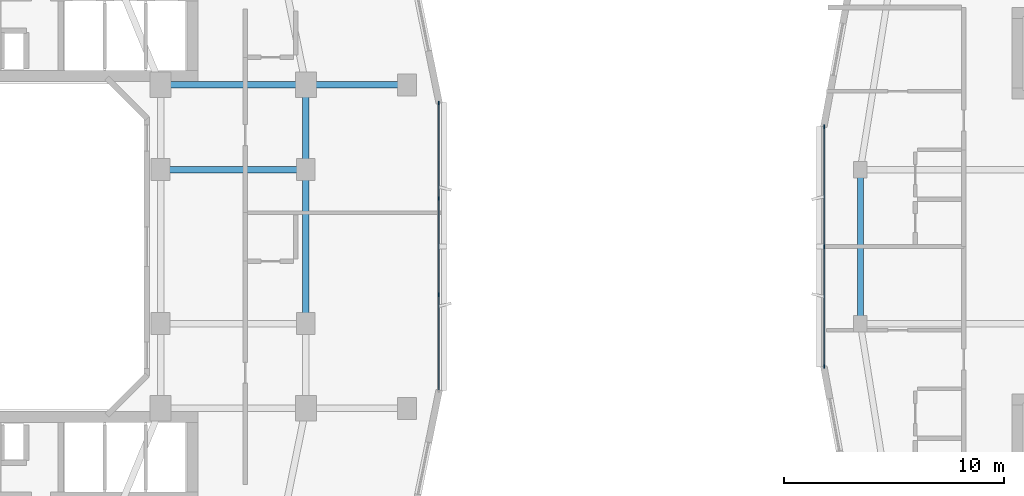
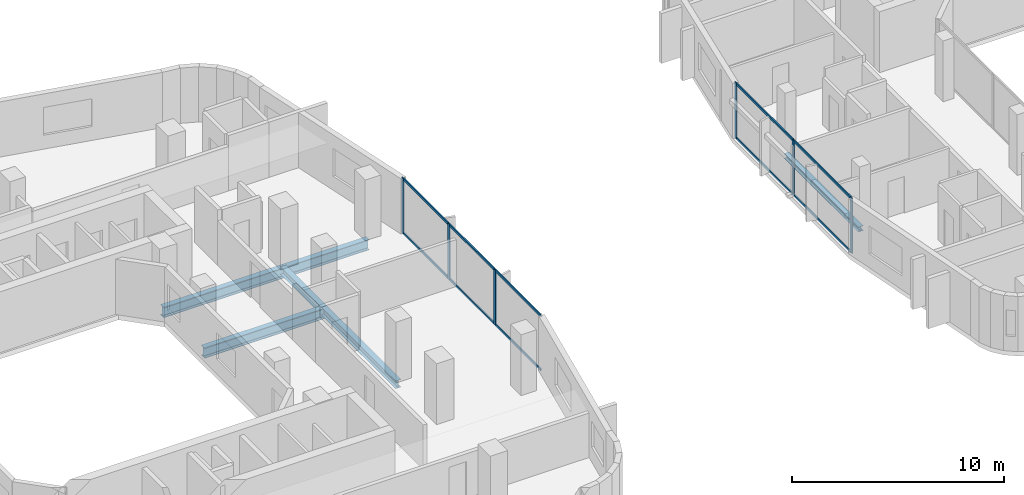
# One storey, part 5 of 25: 16 members, 6 beams, 2 elements without a shape of their own.
"""IFC4 building model written with IfcOpenShell, lengths in metres."""

from ifc_helpers import new_model, si_unit, derived_unit, direction, frame, origin, origin_2d, place, context, subcontext, project, spatial, rectangle, i_section, extrude, material, layer, layer_set, material_profile, profile_set, type_object, element, aggregate, save


model = new_model("IFC4")

# Units and contexts
model_context = context("Model", 3, precision=1e-05, world=origin(), true_north=direction((0.0, 1.0)))
body_context = subcontext(model_context, "Body", "Model", "MODEL_VIEW")
ifc_project = project(units=[si_unit("LENGTHUNIT", "METRE"), si_unit("AREAUNIT", "SQUARE_METRE"), si_unit("VOLUMEUNIT", "CUBIC_METRE"), si_unit("PLANEANGLEUNIT", "RADIAN"), si_unit("MASSUNIT", "GRAM", prefix="KILO"), derived_unit("THERMALTRANSMITTANCEUNIT", [(si_unit("POWERUNIT", "WATT"), 1), (si_unit("LENGTHUNIT", "METRE"), -2), (si_unit("THERMODYNAMICTEMPERATUREUNIT", "KELVIN"), -1)])], contexts=[model_context])

# Site, building, storey
site_placement = place(None, origin())
site = spatial("IfcSite", under=ifc_project, at=site_placement, CompositionType="ELEMENT")
building_placement = place(site_placement, origin())
building = spatial("IfcBuilding", under=site, at=building_placement, Name="Kivonza Crest Hotel", CompositionType="ELEMENT")
storey_placement = place(building_placement, frame((0.0, 0.0, 87.0)))
storey = spatial("IfcBuildingStorey", under=building, at=storey_placement, Name="L23", CompositionType="ELEMENT", Elevation=87.0)

# Beams
ifc_material_1 = material(Name="Steel S355", Category="steel")
ifc_material_profile_1 = material_profile(ifc_material_1, i_section(OverallWidth=0.280029296875, OverallDepth=0.280029296875, WebThickness=0.010498046875, FlangeThickness=0.01806640625, FilletRadius=0.02392578125, at=origin_2d()), Name="HEB 280")
ifc_profile_set_1 = profile_set([ifc_material_profile_1], Name="Steel S355")
beam_type_1 = type_object("IfcBeamType", Name="BM-HEB280", PredefinedType="SPANDREL", material=ifc_profile_set_1)
beam_1_placement = place(storey_placement, frame((61.0, 28.5, -0.389892578125), z_axis=(0.0, -1.0, 0.0), x_axis=(1.0, 0.0, 0.0)))
element("IfcBeam", 1, at=beam_1_placement, inside=storey, type_object=beam_type_1, Name="Companion Tower T2 L23 perimeter spandrel W2-W1", PredefinedType="SPANDREL", context=body_context, shape_type="SweptSolid", body=[
    extrude(i_section(OverallWidth=0.280029296875, OverallDepth=0.280029296875, WebThickness=0.010498046875, FlangeThickness=0.01806640625, FilletRadius=0.02392578125, at=origin_2d()), origin(), (0.0, 0.0, 1.0), 7.0),
])
ifc_material_profile_2 = material_profile(ifc_material_1, i_section(OverallWidth=0.300048828125, OverallDepth=0.449951171875, WebThickness=0.013916015625, FlangeThickness=0.02587890625, FilletRadius=0.027099609375, at=origin_2d()), Name="HEB 450")
ifc_profile_set_2 = profile_set([ifc_material_profile_2], Name="Steel S355")
beam_type_2 = type_object("IfcBeamType", Name="BM-HEB450", PredefinedType="SPANDREL", material=ifc_profile_set_2)
beam_2_placement = place(storey_placement, frame((35.800048828125, 21.5, -0.5048828125), z_axis=(0.0, 1.0, 0.0), x_axis=(-1.0, 0.0, 0.0)))
element("IfcBeam", 2, at=beam_2_placement, inside=storey, type_object=beam_type_2, Name="Tower T1 L23 perimeter spandrel E1-E2", PredefinedType="SPANDREL", context=body_context, shape_type="SweptSolid", body=[
    extrude(i_section(OverallWidth=0.300048828125, OverallDepth=0.449951171875, WebThickness=0.013916015625, FlangeThickness=0.02587890625, FilletRadius=0.027099609375, at=origin_2d()), origin(), (0.0, 0.0, 1.0), 7.0),
])
beam_3_placement = place(storey_placement, frame((35.800048828125, 28.5, -0.5048828125), z_axis=(0.0, 1.0, 0.0), x_axis=(-1.0, 0.0, 0.0)))
element("IfcBeam", 3, at=beam_3_placement, inside=storey, type_object=beam_type_2, Name="Tower T1 L23 perimeter spandrel E2-PNE", PredefinedType="SPANDREL", context=body_context, shape_type="SweptSolid", body=[
    extrude(i_section(OverallWidth=0.300048828125, OverallDepth=0.449951171875, WebThickness=0.013916015625, FlangeThickness=0.02587890625, FilletRadius=0.027099609375, at=origin_2d()), origin(), (0.0, 0.0, 1.0), 3.85009765625),
])
ifc_material_profile_3 = material_profile(ifc_material_1, i_section(OverallWidth=0.300048828125, OverallDepth=0.60009765625, WebThickness=0.015380859375, FlangeThickness=0.030029296875, FilletRadius=0.027099609375, at=origin_2d()), Name="HEB 600")
ifc_profile_set_3 = profile_set([ifc_material_profile_3], Name="Steel S355")
beam_type_3 = type_object("IfcBeamType", Name="BM-HEB600", PredefinedType="BEAM", material=ifc_profile_set_3)
for number, where, z_axis, x_axis, name in (
    (4, (29.199951171875, 32.35009765625, -0.580078125), (1.0, 0.0, 0.0), (0.0, 1.0, 0.0), "Tower T1 L23 primary girder TNE-PNE"),
    (5, (29.199951171875, 28.5, -0.580078125), (1.0, 0.0, 0.0), (0.0, 1.0, 0.0), "Tower T1 L23 primary girder WR2-E2"),
):
    element("IfcBeam", number, at=place(storey_placement, frame(where, z_axis=z_axis, x_axis=x_axis)), inside=storey, type_object=beam_type_3, Name=name, PredefinedType="BEAM", context=body_context, shape_type="SweptSolid", body=[
        extrude(i_section(OverallWidth=0.300048828125, OverallDepth=0.60009765625, WebThickness=0.015380859375, FlangeThickness=0.030029296875, FilletRadius=0.027099609375, at=origin_2d()), origin(), (0.0, 0.0, 1.0), 6.60009765625),
    ])
beam_4_placement = place(storey_placement, frame((40.39990234375, 32.35009765625, -0.580078125), z_axis=(-1.0, 0.0, 0.0), x_axis=(0.0, -1.0, 0.0)))
element("IfcBeam", 6, at=beam_4_placement, inside=storey, type_object=beam_type_3, Name="Tower T1 L23 outer bay girder ZE2", PredefinedType="BEAM", context=body_context, shape_type="SweptSolid", body=[
    extrude(i_section(OverallWidth=0.300048828125, OverallDepth=0.60009765625, WebThickness=0.015380859375, FlangeThickness=0.030029296875, FilletRadius=0.027099609375, at=origin_2d()), origin(), (0.0, 0.0, 1.0), 4.599853515625),
])

# Curtain wall, members
ifc_material_2 = material(Name="Anodised bronze aluminium and low-E double glazing", Category="aluminium")
ifc_layer_1 = layer(ifc_material_2, 0.179931640625)
ifc_layer_set_1 = layer_set([ifc_layer_1], Name="Anodised bronze aluminium and low-E double glazing")
curtain_wall_type_1 = type_object("IfcCurtainWallType", Name="CW-SYS-2", PredefinedType="NOTDEFINED", material=ifc_layer_set_1)
curtain_wall_1_placement = place(storey_placement, origin())
curtain_wall_1 = element("IfcCurtainWall", 7, at=curtain_wall_1_placement, inside=storey, type_object=curtain_wall_type_1, Name="L23 unitised curtain wall CW-T1-L23-17", PredefinedType="NOTDEFINED")
ifc_material_3 = material(Name="Anodised bronze aluminium", Category="aluminium")
ifc_material_profile_4 = material_profile(ifc_material_3, rectangle(XDim=0.06494140625, YDim=0.179931640625, at=origin_2d()), Name="CW-M 65x180")
ifc_profile_set_4 = profile_set([ifc_material_profile_4], Name="Anodised bronze aluminium")
member_type_1 = type_object("IfcMemberType", Name="CW-MUL-65x180", PredefinedType="MULLION", material=ifc_profile_set_4)
member_1_placement = place(storey_placement, frame((41.840087890625, 22.813232421875, 0.0), z_axis=(0.0, 0.0, 1.0), x_axis=(-1.0, 0.0, 0.0)))
member_1 = element("IfcMember", 8, at=member_1_placement, type_object=member_type_1, Name="CW-2 mullion 2", PredefinedType="MULLION", context=body_context, shape_type="SweptSolid", body=[
    extrude(rectangle(XDim=0.06494140625, YDim=0.179931640625, at=origin_2d()), origin(), (0.0, 0.0, 1.0), 3.179931640625),
])
member_2_placement = place(storey_placement, frame((41.840087890625, 27.186767578125, 0.0), z_axis=(0.0, 0.0, 1.0), x_axis=(-1.0, 0.0, 0.0)))
member_2 = element("IfcMember", 9, at=member_2_placement, type_object=member_type_1, Name="CW-2 mullion 3", PredefinedType="MULLION", context=body_context, shape_type="SweptSolid", body=[
    extrude(rectangle(XDim=0.06494140625, YDim=0.179931640625, at=origin_2d()), origin(), (0.0, 0.0, 1.0), 3.179931640625),
])
member_3_placement = place(storey_placement, frame((41.840087890625, 31.527587890625, 0.0), z_axis=(0.0, 0.0, 1.0), x_axis=(-1.0, 0.0, 0.0)))
member_3 = element("IfcMember", 10, at=member_3_placement, type_object=member_type_1, Name="CW-2 mullion 4", PredefinedType="MULLION", context=body_context, shape_type="SweptSolid", body=[
    extrude(rectangle(XDim=0.06494140625, YDim=0.179931640625, at=origin_2d()), origin(), (0.0, 0.0, 1.0), 3.179931640625),
])

ifc_layer_2 = layer(ifc_material_2, 0.179931640625)
ifc_layer_set_2 = layer_set([ifc_layer_2], Name="Anodised bronze aluminium and low-E double glazing")
curtain_wall_type_2 = type_object("IfcCurtainWallType", Name="CW-SYS-4", PredefinedType="NOTDEFINED", material=ifc_layer_set_2)
curtain_wall_2_placement = place(storey_placement, origin())
curtain_wall_2 = element("IfcCurtainWall", 11, at=curtain_wall_2_placement, inside=storey, type_object=curtain_wall_type_2, Name="L23 unitised curtain wall CW-T2-L23-35", PredefinedType="NOTDEFINED")
member_4_placement = place(storey_placement, frame((59.360107421875, 30.447509765625, 0.0), z_axis=(0.0, 0.0, 1.0), x_axis=(1.0, 0.0, 0.0)))
member_4 = element("IfcMember", 12, at=member_4_placement, type_object=member_type_1, Name="CW-4 mullion 1", PredefinedType="MULLION", context=body_context, shape_type="SweptSolid", body=[
    extrude(rectangle(XDim=0.06494140625, YDim=0.179931640625, at=origin_2d()), origin(), (0.0, 0.0, 1.0), 3.179931640625),
])
member_5_placement = place(storey_placement, frame((59.360107421875, 25.0, 0.0), z_axis=(0.0, 0.0, 1.0), x_axis=(1.0, 0.0, 0.0)))
member_5 = element("IfcMember", 13, at=member_5_placement, type_object=member_type_1, Name="CW-4 mullion 2", PredefinedType="MULLION", context=body_context, shape_type="SweptSolid", body=[
    extrude(rectangle(XDim=0.06494140625, YDim=0.179931640625, at=origin_2d()), origin(), (0.0, 0.0, 1.0), 3.179931640625),
])
member_6_placement = place(storey_placement, frame((59.360107421875, 19.552490234375, 0.0), z_axis=(0.0, 0.0, 1.0), x_axis=(1.0, 0.0, 0.0)))
member_6 = element("IfcMember", 14, at=member_6_placement, type_object=member_type_1, Name="CW-4 mullion 3", PredefinedType="MULLION", context=body_context, shape_type="SweptSolid", body=[
    extrude(rectangle(XDim=0.06494140625, YDim=0.179931640625, at=origin_2d()), origin(), (0.0, 0.0, 1.0), 3.179931640625),
])

# Member
ifc_material_profile_5 = material_profile(ifc_material_3, rectangle(XDim=0.06494140625, YDim=0.139892578125, at=origin_2d()), Name="CW-T 65x140")
ifc_profile_set_5 = profile_set([ifc_material_profile_5], Name="Anodised bronze aluminium")
member_type_2 = type_object("IfcMemberType", Name="CW-TRN-65x140", PredefinedType="USERDEFINED", material=ifc_profile_set_5)
member_7_placement = place(storey_placement, frame((41.840087890625, 18.5048828125, 0.032470703125), z_axis=(0.0, 1.0, 0.0), x_axis=(-1.0, 0.0, 0.0)))
member_7 = element("IfcMember", 15, at=member_7_placement, type_object=member_type_2, Name="CW-2 transom 1.1", ObjectType="TRANSOM", PredefinedType="USERDEFINED", context=body_context, shape_type="SweptSolid", body=[
    extrude(rectangle(XDim=0.06494140625, YDim=0.139892578125, at=origin_2d()), origin(), (0.0, 0.0, 1.0), 4.27587890625),
])

member_8_placement = place(storey_placement, frame((41.840087890625, 18.5048828125, 3.1474609375), z_axis=(0.0, 1.0, 0.0), x_axis=(-1.0, 0.0, 0.0)))
member_8 = element("IfcMember", 16, at=member_8_placement, type_object=member_type_2, Name="CW-2 transom 1.2", ObjectType="TRANSOM", PredefinedType="USERDEFINED", context=body_context, shape_type="SweptSolid", body=[
    extrude(rectangle(XDim=0.06494140625, YDim=0.139892578125, at=origin_2d()), origin(), (0.0, 0.0, 1.0), 4.27587890625),
])

member_9_placement = place(storey_placement, frame((41.840087890625, 22.845947265625, 0.032470703125), z_axis=(0.0, 1.0, 0.0), x_axis=(-1.0, 0.0, 0.0)))
member_9 = element("IfcMember", 17, at=member_9_placement, type_object=member_type_2, Name="CW-2 transom 2.1", ObjectType="TRANSOM", PredefinedType="USERDEFINED", context=body_context, shape_type="SweptSolid", body=[
    extrude(rectangle(XDim=0.06494140625, YDim=0.139892578125, at=origin_2d()), origin(), (0.0, 0.0, 1.0), 4.30810546875),
])

member_10_placement = place(storey_placement, frame((41.840087890625, 22.845947265625, 3.1474609375), z_axis=(0.0, 1.0, 0.0), x_axis=(-1.0, 0.0, 0.0)))
member_10 = element("IfcMember", 18, at=member_10_placement, type_object=member_type_2, Name="CW-2 transom 2.2", ObjectType="TRANSOM", PredefinedType="USERDEFINED", context=body_context, shape_type="SweptSolid", body=[
    extrude(rectangle(XDim=0.06494140625, YDim=0.139892578125, at=origin_2d()), origin(), (0.0, 0.0, 1.0), 4.30810546875),
])

member_11_placement = place(storey_placement, frame((41.840087890625, 27.21923828125, 0.032470703125), z_axis=(0.0, 1.0, 0.0), x_axis=(-1.0, 0.0, 0.0)))
member_11 = element("IfcMember", 19, at=member_11_placement, type_object=member_type_2, Name="CW-2 transom 3.1", ObjectType="TRANSOM", PredefinedType="USERDEFINED", context=body_context, shape_type="SweptSolid", body=[
    extrude(rectangle(XDim=0.06494140625, YDim=0.139892578125, at=origin_2d()), origin(), (0.0, 0.0, 1.0), 4.27587890625),
])

member_12_placement = place(storey_placement, frame((41.840087890625, 27.21923828125, 3.1474609375), z_axis=(0.0, 1.0, 0.0), x_axis=(-1.0, 0.0, 0.0)))
member_12 = element("IfcMember", 20, at=member_12_placement, type_object=member_type_2, Name="CW-2 transom 3.2", ObjectType="TRANSOM", PredefinedType="USERDEFINED", context=body_context, shape_type="SweptSolid", body=[
    extrude(rectangle(XDim=0.06494140625, YDim=0.139892578125, at=origin_2d()), origin(), (0.0, 0.0, 1.0), 4.27587890625),
])

aggregate(curtain_wall_1, [member_1, member_2, member_3, member_7, member_8, member_9, member_10, member_11, member_12])

member_13_placement = place(storey_placement, frame((59.360107421875, 30.4150390625, 0.032470703125), z_axis=(0.0, -1.0, 0.0), x_axis=(1.0, 0.0, 0.0)))
member_13 = element("IfcMember", 21, at=member_13_placement, type_object=member_type_2, Name="CW-4 transom 1.1", ObjectType="TRANSOM", PredefinedType="USERDEFINED", context=body_context, shape_type="SweptSolid", body=[
    extrude(rectangle(XDim=0.06494140625, YDim=0.139892578125, at=origin_2d()), origin(), (0.0, 0.0, 1.0), 5.382568359375),
])

member_14_placement = place(storey_placement, frame((59.360107421875, 30.4150390625, 3.1474609375), z_axis=(0.0, -1.0, 0.0), x_axis=(1.0, 0.0, 0.0)))
member_14 = element("IfcMember", 22, at=member_14_placement, type_object=member_type_2, Name="CW-4 transom 1.2", ObjectType="TRANSOM", PredefinedType="USERDEFINED", context=body_context, shape_type="SweptSolid", body=[
    extrude(rectangle(XDim=0.06494140625, YDim=0.139892578125, at=origin_2d()), origin(), (0.0, 0.0, 1.0), 5.382568359375),
])

member_15_placement = place(storey_placement, frame((59.360107421875, 24.967529296875, 0.032470703125), z_axis=(0.0, -1.0, 0.0), x_axis=(1.0, 0.0, 0.0)))
member_15 = element("IfcMember", 23, at=member_15_placement, type_object=member_type_2, Name="CW-4 transom 2.1", ObjectType="TRANSOM", PredefinedType="USERDEFINED", context=body_context, shape_type="SweptSolid", body=[
    extrude(rectangle(XDim=0.06494140625, YDim=0.139892578125, at=origin_2d()), origin(), (0.0, 0.0, 1.0), 5.382568359375),
])

member_16_placement = place(storey_placement, frame((59.360107421875, 24.967529296875, 3.1474609375), z_axis=(0.0, -1.0, 0.0), x_axis=(1.0, 0.0, 0.0)))
member_16 = element("IfcMember", 24, at=member_16_placement, type_object=member_type_2, Name="CW-4 transom 2.2", ObjectType="TRANSOM", PredefinedType="USERDEFINED", context=body_context, shape_type="SweptSolid", body=[
    extrude(rectangle(XDim=0.06494140625, YDim=0.139892578125, at=origin_2d()), origin(), (0.0, 0.0, 1.0), 5.382568359375),
])

aggregate(curtain_wall_2, [member_4, member_5, member_6, member_13, member_14, member_15, member_16])

save(model, "model.ifc")
